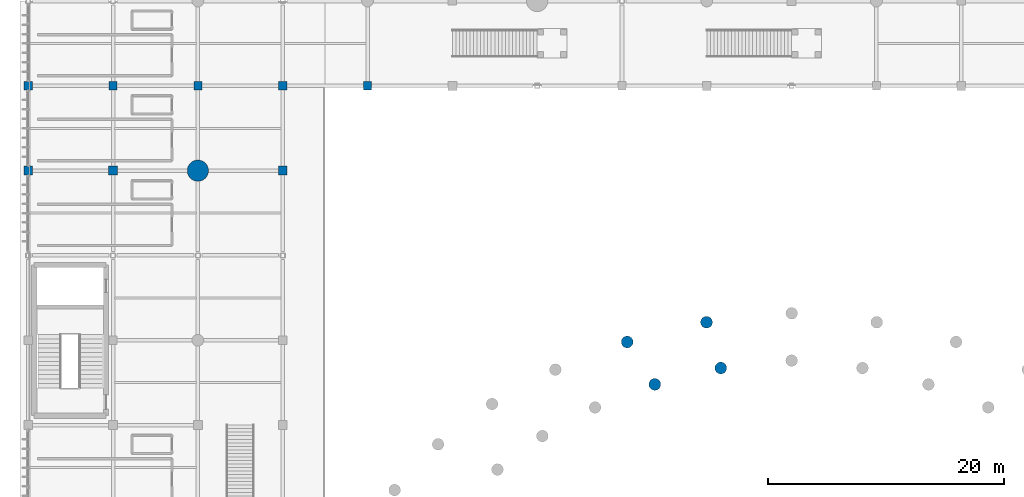
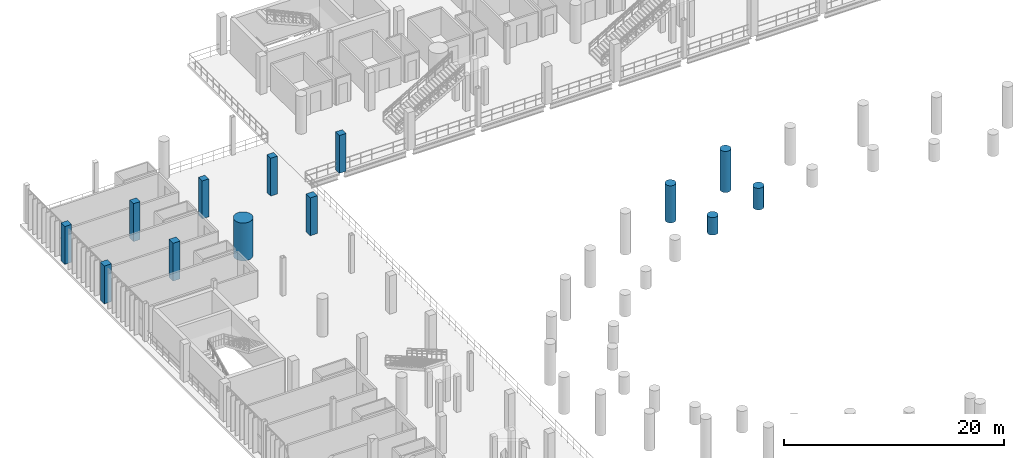
# One storey, part 9 of 130: 13 columns.
"""IFC4 building model written with IfcOpenShell, lengths in metres."""

from ifc_helpers import new_model, si_unit, direction, frame, origin, origin_2d, place, context, subcontext, project, spatial, rectangle, circle, extrude, material, material_profile, profile_set, type_object, element, save


model = new_model("IFC4")

# Units and contexts
model_context = context("Model", 3, precision=1e-05, world=origin(), true_north=direction((0.0, 1.0)))
body_context = subcontext(model_context, "Body", "Model", "MODEL_VIEW")
ifc_project = project(units=[si_unit("LENGTHUNIT", "METRE"), si_unit("AREAUNIT", "SQUARE_METRE"), si_unit("VOLUMEUNIT", "CUBIC_METRE"), si_unit("PLANEANGLEUNIT", "RADIAN"), si_unit("MASSUNIT", "GRAM", prefix="KILO")], contexts=[model_context])

# Site, building, storey
site_placement = place(None, origin())
site = spatial("IfcSite", under=ifc_project, at=site_placement, CompositionType="ELEMENT")
building_placement = place(site_placement, origin())
building = spatial("IfcBuilding", under=site, at=building_placement, Name="Qandorah Velis Arena", CompositionType="ELEMENT")
storey_placement = place(building_placement, frame((0.0, 0.0, 9.60009765625)))
storey = spatial("IfcBuildingStorey", under=building, at=storey_placement, Name="L02", CompositionType="ELEMENT", Elevation=9.60009765625)

# Columns
ifc_material_1 = material(Name="Concrete C50/60", Category="concrete")
ifc_material_profile_1 = material_profile(ifc_material_1, circle(Radius=0.89990234375, at=origin_2d()), Name="MC D1800")
ifc_profile_set_1 = profile_set([ifc_material_profile_1], Name="Concrete C50/60")
column_type_1 = type_object("IfcColumnType", Name="STR-COL-MC1800", PredefinedType="COLUMN", material=ifc_profile_set_1)
column_1_placement = place(storey_placement, frame((14.39990234375, 100.800048828125, 0.0), z_axis=(0.0, 0.0, 1.0), x_axis=(1.0, 0.0, 0.0)))
element("IfcColumn", 1, at=column_1_placement, inside=storey, type_object=column_type_1, Name="Mega column MC3 (L02)", PredefinedType="COLUMN", context=body_context, shape_type="SweptSolid", body=[
    extrude(circle(Radius=0.89990234375, at=origin_2d()), origin(), (0.0, 0.0, 1.0), 4.199951171875),
])
ifc_material_2 = material(Name="Concrete C40/50", Category="concrete")
ifc_material_profile_2 = material_profile(ifc_material_2, rectangle(XDim=0.699951171875, YDim=0.699951171875, at=origin_2d()), Name="RC COL 700x700")
ifc_profile_set_2 = profile_set([ifc_material_profile_2], Name="Concrete C40/50")
column_type_2 = type_object("IfcColumnType", Name="STR-COL-RC700", PredefinedType="COLUMN", material=ifc_profile_set_2)
for number, where, z_axis, x_axis, name in (
    (2, (0.0, 108.0, 0.0), (0.0, 0.0, 1.0), (1.0, 0.0, 0.0), "Structural column L02-013"),
    (3, (7.199951171875, 108.0, 0.0), (0.0, 0.0, 1.0), (1.0, 0.0, 0.0), "Structural column L02-028"),
    (4, (14.39990234375, 108.0, 0.0), (0.0, 0.0, 1.0), (1.0, 0.0, 0.0), "Structural column L02-043"),
    (5, (21.60009765625, 108.0, 0.0), (0.0, 0.0, 1.0), (1.0, 0.0, 0.0), "Structural column L02-058"),
    (6, (28.800048828125, 108.0, 0.0), (0.0, 0.0, 1.0), (1.0, 0.0, 0.0), "Structural column L02-064"),
):
    element("IfcColumn", number, at=place(storey_placement, frame(where, z_axis=z_axis, x_axis=x_axis)), inside=storey, type_object=column_type_2, Name=name, PredefinedType="COLUMN", context=body_context, shape_type="SweptSolid", body=[
        extrude(rectangle(XDim=0.699951171875, YDim=0.699951171875, at=origin_2d()), origin(), (0.0, 0.0, 1.0), 4.199951171875),
    ])
ifc_material_profile_3 = material_profile(ifc_material_2, rectangle(XDim=0.75, YDim=0.75, at=origin_2d()), Name="RC COL 750x750")
ifc_profile_set_3 = profile_set([ifc_material_profile_3], Name="Concrete C40/50")
column_type_3 = type_object("IfcColumnType", Name="STR-COL-RC750", PredefinedType="COLUMN", material=ifc_profile_set_3)
for number, where, z_axis, x_axis, name in (
    (7, (0.0, 100.800048828125, 0.0), (0.0, 0.0, 1.0), (1.0, 0.0, 0.0), "Structural column L02-012"),
    (8, (7.199951171875, 100.800048828125, 0.0), (0.0, 0.0, 1.0), (1.0, 0.0, 0.0), "Structural column L02-027"),
    (9, (21.60009765625, 100.800048828125, 0.0), (0.0, 0.0, 1.0), (1.0, 0.0, 0.0), "Structural column L02-057"),
):
    element("IfcColumn", number, at=place(storey_placement, frame(where, z_axis=z_axis, x_axis=x_axis)), inside=storey, type_object=column_type_3, Name=name, PredefinedType="COLUMN", context=body_context, shape_type="SweptSolid", body=[
        extrude(rectangle(XDim=0.75, YDim=0.75, at=origin_2d()), origin(), (0.0, 0.0, 1.0), 4.199951171875),
    ])
ifc_material_profile_4 = material_profile(ifc_material_2, circle(Radius=0.5, at=origin_2d()), Name="RC D1000")
ifc_profile_set_4 = profile_set([ifc_material_profile_4], Name="Concrete C40/50")
column_type_4 = type_object("IfcColumnType", Name="STR-COL-RCD1000", PredefinedType="COLUMN", material=ifc_profile_set_4)
column_2_placement = place(storey_placement, frame((58.78759765625, 84.04638671875, 0.0), z_axis=(0.0, 0.0, 1.0), x_axis=(1.0, 0.0, 0.0)))
element("IfcColumn", 10, at=column_2_placement, inside=storey, type_object=column_type_4, Name="Upper raker fulcrum column L02 5.2", PredefinedType="COLUMN", context=body_context, shape_type="SweptSolid", body=[
    extrude(circle(Radius=0.5, at=origin_2d()), origin(), (0.0, 0.0, 1.0), 2.39501953125),
])
column_3_placement = place(storey_placement, frame((57.574462890625, 87.930419921875, 0.0), z_axis=(0.0, 0.0, 1.0), x_axis=(1.0, 0.0, 0.0)))
element("IfcColumn", 11, at=column_3_placement, inside=storey, type_object=column_type_4, Name="Outer bowl raker column L02 5.2", PredefinedType="COLUMN", context=body_context, shape_type="SweptSolid", body=[
    extrude(circle(Radius=0.5, at=origin_2d()), origin(), (0.0, 0.0, 1.0), 4.5595703125),
])
column_4_placement = place(storey_placement, frame((53.185546875, 82.654541015625, 0.0), z_axis=(0.0, 0.0, 1.0), x_axis=(1.0, 0.0, 0.0)))
element("IfcColumn", 12, at=column_4_placement, inside=storey, type_object=column_type_4, Name="Upper raker fulcrum column L02 6.1", PredefinedType="COLUMN", context=body_context, shape_type="SweptSolid", body=[
    extrude(circle(Radius=0.5, at=origin_2d()), origin(), (0.0, 0.0, 1.0), 1.94482421875),
])
column_5_placement = place(storey_placement, frame((50.841796875, 86.25732421875, 0.0), z_axis=(0.0, 0.0, 1.0), x_axis=(1.0, 0.0, 0.0)))
element("IfcColumn", 13, at=column_5_placement, inside=storey, type_object=column_type_4, Name="Outer bowl raker column L02 6.1", PredefinedType="COLUMN", context=body_context, shape_type="SweptSolid", body=[
    extrude(circle(Radius=0.5, at=origin_2d()), origin(), (0.0, 0.0, 1.0), 4.109619140625),
])

save(model, "model.ifc")
